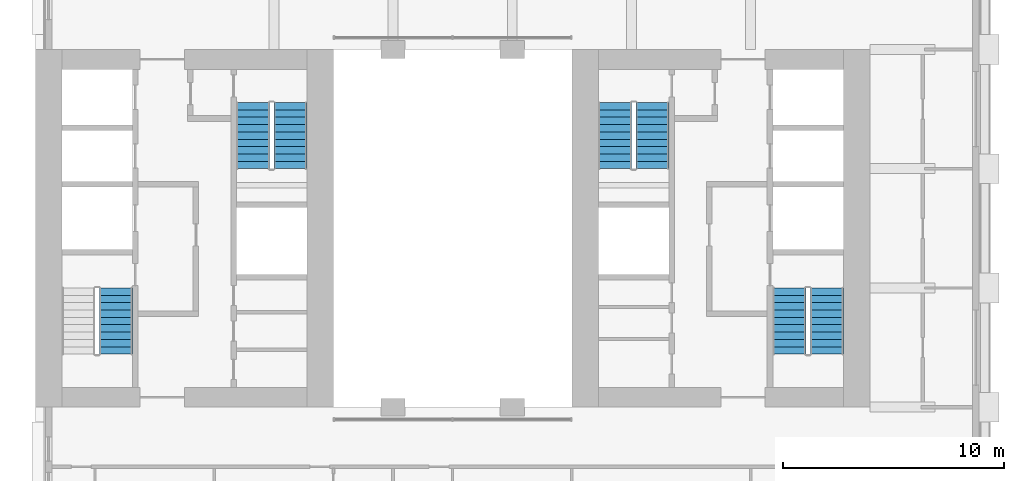
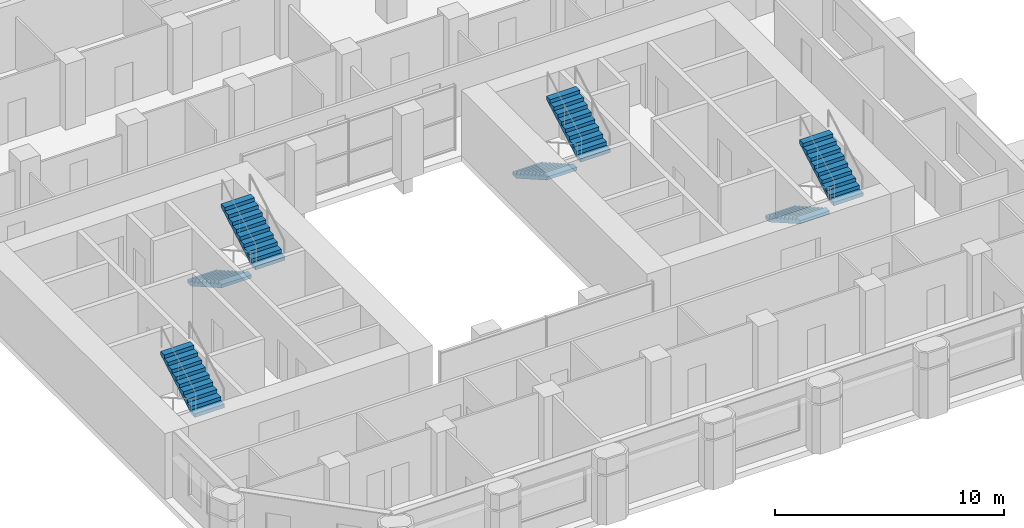
# One storey, part 8 of 11: 7 stair flights, 4 elements without a shape of their own.
"""IFC4 building model written with IfcOpenShell, lengths in metres."""

import ifcopenshell
import ifcopenshell.guid

model = None  # the IFC model being written
_history = None  # IfcOwnerHistory: only IFC2X3 demands one
_inside = {}  # id of a spatial element -> (the spatial element, [elements in it])
_under = {}  # id of a project, library or spatial element -> (it, [spatial elements below it])
_declared = {}  # id of a project -> (the project, [libraries it declares])
_typed = {}  # id of a type object -> (the type object, [elements of that type])
_made_of = {}  # id of a material, layer set ... -> (it, [elements and type objects made of it])


def new_model(schema):
    """Start an empty IFC model of exactly this schema.

    Asked for "IFC4X3", IfcOpenShell would pick the latest addendum, in which some entities
    have other attributes; the version numbers below select the first issue.
    IFC2X3 requires an IfcOwnerHistory on every rooted entity: one is made here for all.
    """
    global model, _history
    if schema == "IFC4X3":
        model = ifcopenshell.file(schema_version=(4, 3, 0, 0))
    else:
        model = ifcopenshell.file(schema=schema)
    _inside.clear()
    _under.clear()
    _declared.clear()
    _typed.clear()
    _made_of.clear()
    _history = None
    if model.schema == "IFC2X3":
        org = make("IfcOrganization", Name="unknown")
        user = make(
            "IfcPersonAndOrganization",
            ThePerson=make("IfcPerson", FamilyName="unknown"),
            TheOrganization=org,
        )
        app = make(
            "IfcApplication",
            ApplicationDeveloper=org,
            Version="unknown",
            ApplicationFullName="unknown",
            ApplicationIdentifier="unknown",
        )
        _history = make(
            "IfcOwnerHistory",
            OwningUser=user,
            OwningApplication=app,
            ChangeAction="ADDED",
            CreationDate=0,
        )
    return model


def make(cls, **values):
    """One entity of the class cls with the attributes given. An attribute that is None is left unset."""
    return model.create_entity(
        cls, **{name: value for name, value in values.items() if value is not None}
    )


def rooted(cls, **values):
    """An entity with a GlobalId (a new one), such as an element, a storey or a relation."""
    return make(cls, GlobalId=ifcopenshell.guid.new(), OwnerHistory=_history, **values)


def si_unit(unit_type, name, prefix=None):
    """IfcSIUnit, for example si_unit("LENGTHUNIT", "METRE", prefix="MILLI")."""
    return make("IfcSIUnit", UnitType=unit_type, Prefix=prefix, Name=name)


def assignment(units):
    """IfcUnitAssignment: the units of a project."""
    return None if units is None else make("IfcUnitAssignment", Units=units)


def point(xyz):
    """IfcCartesianPoint."""
    return None if xyz is None else make("IfcCartesianPoint", Coordinates=xyz)


def direction(xyz):
    """IfcDirection."""
    return None if xyz is None else make("IfcDirection", DirectionRatios=xyz)


def frame(location, z_axis=None, x_axis=None):
    """IfcAxis2Placement3D, a coordinate frame: its origin and axes. An axis left out is left unset."""
    return make(
        "IfcAxis2Placement3D",
        Location=point(location),
        Axis=direction(z_axis),
        RefDirection=direction(x_axis),
    )


def origin():
    """The frame at (0, 0, 0) with its axes left unset."""
    return frame((0.0, 0.0, 0.0))


def place(relative_to, where):
    """IfcLocalPlacement: puts the frame where relative to a parent placement (None: the world)."""
    return make(
        "IfcLocalPlacement", PlacementRelTo=relative_to, RelativePlacement=where
    )


def context(
    kind, dimensions, precision=None, world=None, true_north=None, identifier=None
):
    """IfcGeometricRepresentationContext, for example the 3D "Model" context."""
    return make(
        "IfcGeometricRepresentationContext",
        ContextIdentifier=identifier,
        ContextType=kind,
        CoordinateSpaceDimension=dimensions,
        Precision=precision,
        WorldCoordinateSystem=world,
        TrueNorth=true_north,
    )


def subcontext(parent, identifier, kind, view, scale=None):
    """IfcGeometricRepresentationSubContext, for example "Body" below "Model"."""
    return make(
        "IfcGeometricRepresentationSubContext",
        ContextIdentifier=identifier,
        ContextType=kind,
        ParentContext=parent,
        TargetScale=scale,
        TargetView=view,
    )


def project(units=None, contexts=None):
    """IfcProject with its units and contexts."""
    return rooted(
        "IfcProject",
        Name="project",
        RepresentationContexts=contexts,
        UnitsInContext=assignment(units),
    )


def spatial(cls, under=None, at=None, **own):
    """A site, building, storey or space (cls), placed at a placement, below another one or the project."""
    s = rooted(cls, ObjectPlacement=at, **own)
    if under is not None:
        _under.setdefault(under.id(), (under, []))[1].append(s)
    return s


def polyline(points):
    """IfcPolyline through the points."""
    return make("IfcPolyline", Points=[point(p) for p in points])


def outline(outer, holes=None, kind="AREA"):
    """IfcArbitraryClosedProfileDef: a profile drawn as a closed curve; with holes, ...WithVoids."""
    if holes is None:
        return make("IfcArbitraryClosedProfileDef", ProfileType=kind, OuterCurve=outer)
    return make(
        "IfcArbitraryProfileDefWithVoids",
        ProfileType=kind,
        OuterCurve=outer,
        InnerCurves=holes,
    )


def extrude(swept, where, along, depth):
    """IfcExtrudedAreaSolid: the profile swept, set in the frame where, extruded along a direction by depth."""
    return make(
        "IfcExtrudedAreaSolid",
        SweptArea=swept,
        Position=where,
        ExtrudedDirection=direction(along),
        Depth=depth,
    )


def shape(context_of_items, identifier, shape_type, items):
    """IfcShapeRepresentation: the items that make up one representation, for example the "Body"."""
    return make(
        "IfcShapeRepresentation",
        ContextOfItems=context_of_items,
        RepresentationIdentifier=identifier,
        RepresentationType=shape_type,
        Items=items,
    )


def material(Name=None, Category=None):
    """IfcMaterial."""
    return make("IfcMaterial", Name=Name, Category=Category)


def made_of(thing, what):
    """Note that an element or type object is made of a material, layer set ...; save() writes the relation."""
    if what is not None:
        _made_of.setdefault(what.id(), (what, []))[1].append(thing)
    return thing


def type_object(cls, material=None, **own):
    """A type object (cls), such as IfcWallType, which elements share."""
    return made_of(rooted(cls, **own), material)


def element(
    cls,
    number,
    at=None,
    inside=None,
    cuts=None,
    type_object=None,
    material=None,
    context=None,
    identifier="Body",
    shape_type=None,
    held_by="IfcProductDefinitionShape",
    body=None,
    shapes=None,
    **own,
):
    """One element of the class cls, such as IfcWall. Its Tag is "e" and its number.

    at: its placement. inside: the storey or other place that contains it. cuts: it is an
    opening in that element (IfcRelVoidsElement). A single representation is given by context,
    identifier, shape_type and body (its items); several are given by shapes. held_by: the class
    of the entity that holds the representations. save() writes the other relations.
    """
    e = rooted(cls, Tag="e%d" % number, ObjectPlacement=at, **own)
    if body is not None:
        shapes = [shape(context, identifier, shape_type, body)]
    if shapes is not None:
        e.Representation = make(held_by, Representations=shapes)
    if inside is not None:
        _inside.setdefault(inside.id(), (inside, []))[1].append(e)
    if cuts is not None:
        rooted(
            "IfcRelVoidsElement", RelatingBuildingElement=cuts, RelatedOpeningElement=e
        )
    if type_object is not None:
        _typed.setdefault(type_object.id(), (type_object, []))[1].append(e)
    return made_of(e, material)


def aggregate(whole, parts):
    """IfcRelAggregates: a whole, such as a stair, and the parts it consists of."""
    return rooted("IfcRelAggregates", RelatingObject=whole, RelatedObjects=parts)


def save(model, path):
    """Write the relations noted so far, then the file.

    IfcRelAggregates (storeys below a building ...), IfcRelContainedInSpatialStructure (elements
    in a storey), IfcRelDefinesByType, IfcRelAssociatesMaterial and IfcRelDeclares: one each for
    every whole, place, type object, material and project.
    """
    for whole, parts in _under.values():
        aggregate(whole, parts)
    for where, things in _inside.values():
        rooted(
            "IfcRelContainedInSpatialStructure",
            RelatedElements=things,
            RelatingStructure=where,
        )
    for kind, things in _typed.values():
        rooted("IfcRelDefinesByType", RelatedObjects=things, RelatingType=kind)
    for what, things in _made_of.values():
        rooted("IfcRelAssociatesMaterial", RelatedObjects=things, RelatingMaterial=what)
    for by, libraries in _declared.values():
        rooted("IfcRelDeclares", RelatingContext=by, RelatedDefinitions=libraries)
    model.write(path)


model = new_model("IFC4")

# Units and contexts
model_context = context("Model", 3, precision=1e-05, world=origin(), true_north=direction((0.0, 1.0)))
body_context = subcontext(model_context, "Body", "Model", "MODEL_VIEW")
ifc_project = project(units=[si_unit("LENGTHUNIT", "METRE"), si_unit("AREAUNIT", "SQUARE_METRE"), si_unit("VOLUMEUNIT", "CUBIC_METRE"), si_unit("PLANEANGLEUNIT", "RADIAN"), si_unit("MASSUNIT", "GRAM", prefix="KILO")], contexts=[model_context])

# Site, building, storey
site_placement = place(None, origin())
site = spatial("IfcSite", under=ifc_project, at=site_placement, CompositionType="ELEMENT")
building_placement = place(site_placement, origin())
building = spatial("IfcBuilding", under=site, at=building_placement, Name="Tabaq Tower and Sports Hall", CompositionType="ELEMENT")
storey_placement = place(building_placement, frame((0.0, 0.0, 91.60009765625)))
storey = spatial("IfcBuildingStorey", under=building, at=storey_placement, Name="L21", CompositionType="ELEMENT", Elevation=91.60009765625)

# Stair, stair flight
ifc_material_1 = material(Name="Concrete C40/50", Category="concrete")
stair_type = type_object("IfcStairType", Name="Exit stair", PredefinedType="HALF_TURN_STAIR", material=ifc_material_1)
stair_1_placement = place(storey_placement, origin())
stair_1 = element("IfcStair", 1, at=stair_1_placement, inside=storey, type_object=stair_type, Name="L21 Exit stair ST1", PredefinedType="HALF_TURN_STAIR")
ifc_material_2 = material(Name="Concrete C40/50", Category="concrete")
stair_flight_type = type_object("IfcStairFlightType", Name="Exit stair flight", PredefinedType="STRAIGHT", material=ifc_material_2)
stair_flight_1_placement = place(storey_placement, frame((9.050048828125, 18.60009765625, 1.89990234375), z_axis=(0.0, 0.0, 1.0), x_axis=(0.0, 1.0, 0.0)))
stair_flight_1 = element("IfcStairFlight", 2, at=stair_flight_1_placement, type_object=stair_flight_type, Name="ST1 flight 2", NumberOfRisers=10, NumberOfTreads=9, PredefinedType="STRAIGHT", RiserHeight=0.19, TreadLength=0.333333333, context=body_context, shape_type="SweptSolid", body=[
    extrude(outline(polyline([(0.0, 0.0), (0.0, 0.18994140625), (0.333251953125, 0.18994140625), (0.333251953125, 0.3798828125), (0.666748046875, 0.3798828125), (0.666748046875, 0.570068359375), (1.0, 0.570068359375), (1.0, 0.760009765625), (1.333251953125, 0.760009765625), (1.333251953125, 0.949951171875), (1.666748046875, 0.949951171875), (1.666748046875, 1.139892578125), (2.0, 1.139892578125), (2.0, 1.330078125), (2.333251953125, 1.330078125), (2.333251953125, 1.52001953125), (2.666748046875, 1.52001953125), (2.666748046875, 1.7099609375), (3.0, 1.7099609375), (3.0, 1.89990234375), (3.0, 1.537353515625), (0.302734375, 0.0), (0.0, 0.0)])), frame((0.0, 0.75, 0.0), z_axis=(0.0, -1.0, 0.0), x_axis=(1.0, 0.0, 0.0)), (0.0, 0.0, 1.0), 1.5),
])
aggregate(stair_1, [stair_flight_1])

# Stair, stair flights
stair_2_placement = place(storey_placement, origin())
stair_2 = element("IfcStair", 3, at=stair_2_placement, inside=storey, type_object=stair_type, Name="L21 Exit stair ST2", PredefinedType="HALF_TURN_STAIR")
stair_flight_2_placement = place(storey_placement, frame((15.25, 30.0, 0.0), z_axis=(0.0, 0.0, 1.0), x_axis=(0.0, -1.0, 0.0)))
stair_flight_2 = element("IfcStairFlight", 4, at=stair_flight_2_placement, type_object=stair_flight_type, Name="ST2 flight 1", NumberOfRisers=10, NumberOfTreads=9, PredefinedType="STRAIGHT", RiserHeight=0.19, TreadLength=0.333333333, context=body_context, shape_type="SweptSolid", body=[
    extrude(outline(polyline([(0.0, 0.0), (0.0, 0.18994140625), (0.333251953125, 0.18994140625), (0.333251953125, 0.3798828125), (0.666748046875, 0.3798828125), (0.666748046875, 0.570068359375), (1.0, 0.570068359375), (1.0, 0.760009765625), (1.333251953125, 0.760009765625), (1.333251953125, 0.949951171875), (1.666748046875, 0.949951171875), (1.666748046875, 1.139892578125), (2.0, 1.139892578125), (2.0, 1.330078125), (2.333251953125, 1.330078125), (2.333251953125, 1.52001953125), (2.666748046875, 1.52001953125), (2.666748046875, 1.7099609375), (3.0, 1.7099609375), (3.0, 1.89990234375), (3.0, 1.537353515625), (0.302734375, 0.0), (0.0, 0.0)])), frame((0.0, 0.75, 0.0), z_axis=(0.0, -1.0, 0.0), x_axis=(1.0, 0.0, 0.0)), (0.0, 0.0, 1.0), 1.5),
])
stair_flight_3_placement = place(storey_placement, frame((16.949951171875, 27.0, 1.89990234375), z_axis=(0.0, 0.0, 1.0), x_axis=(0.0, 1.0, 0.0)))
stair_flight_3 = element("IfcStairFlight", 5, at=stair_flight_3_placement, type_object=stair_flight_type, Name="ST2 flight 2", NumberOfRisers=10, NumberOfTreads=9, PredefinedType="STRAIGHT", RiserHeight=0.19, TreadLength=0.333333333, context=body_context, shape_type="SweptSolid", body=[
    extrude(outline(polyline([(0.0, 0.0), (0.0, 0.18994140625), (0.333251953125, 0.18994140625), (0.333251953125, 0.3798828125), (0.666748046875, 0.3798828125), (0.666748046875, 0.570068359375), (1.0, 0.570068359375), (1.0, 0.760009765625), (1.333251953125, 0.760009765625), (1.333251953125, 0.949951171875), (1.666748046875, 0.949951171875), (1.666748046875, 1.139892578125), (2.0, 1.139892578125), (2.0, 1.330078125), (2.333251953125, 1.330078125), (2.333251953125, 1.52001953125), (2.666748046875, 1.52001953125), (2.666748046875, 1.7099609375), (3.0, 1.7099609375), (3.0, 1.89990234375), (3.0, 1.537353515625), (0.302734375, 0.0), (0.0, 0.0)])), frame((0.0, 0.75, 0.0), z_axis=(0.0, -1.0, 0.0), x_axis=(1.0, 0.0, 0.0)), (0.0, 0.0, 1.0), 1.5),
])
aggregate(stair_2, [stair_flight_2, stair_flight_3])

stair_3_placement = place(storey_placement, origin())
stair_3 = element("IfcStair", 6, at=stair_3_placement, inside=storey, type_object=stair_type, Name="L21 Exit stair ST3", PredefinedType="HALF_TURN_STAIR")
stair_flight_4_placement = place(storey_placement, frame((39.550048828125, 21.60009765625, 0.0), z_axis=(0.0, 0.0, 1.0), x_axis=(0.0, -1.0, 0.0)))
stair_flight_4 = element("IfcStairFlight", 7, at=stair_flight_4_placement, type_object=stair_flight_type, Name="ST3 flight 1", NumberOfRisers=10, NumberOfTreads=9, PredefinedType="STRAIGHT", RiserHeight=0.19, TreadLength=0.333333333, context=body_context, shape_type="SweptSolid", body=[
    extrude(outline(polyline([(0.0, 0.0), (0.0, 0.18994140625), (0.333251953125, 0.18994140625), (0.333251953125, 0.3798828125), (0.666748046875, 0.3798828125), (0.666748046875, 0.570068359375), (1.0, 0.570068359375), (1.0, 0.760009765625), (1.333251953125, 0.760009765625), (1.333251953125, 0.949951171875), (1.666748046875, 0.949951171875), (1.666748046875, 1.139892578125), (2.0, 1.139892578125), (2.0, 1.330078125), (2.333251953125, 1.330078125), (2.333251953125, 1.52001953125), (2.666748046875, 1.52001953125), (2.666748046875, 1.7099609375), (3.0, 1.7099609375), (3.0, 1.89990234375), (3.0, 1.537353515625), (0.302734375, 0.0), (0.0, 0.0)])), frame((0.0, 0.75, 0.0), z_axis=(0.0, -1.0, 0.0), x_axis=(1.0, 0.0, 0.0)), (0.0, 0.0, 1.0), 1.5),
])
stair_flight_5_placement = place(storey_placement, frame((41.25, 18.60009765625, 1.89990234375), z_axis=(0.0, 0.0, 1.0), x_axis=(0.0, 1.0, 0.0)))
stair_flight_5 = element("IfcStairFlight", 8, at=stair_flight_5_placement, type_object=stair_flight_type, Name="ST3 flight 2", NumberOfRisers=10, NumberOfTreads=9, PredefinedType="STRAIGHT", RiserHeight=0.19, TreadLength=0.333333333, context=body_context, shape_type="SweptSolid", body=[
    extrude(outline(polyline([(0.0, 0.0), (0.0, 0.18994140625), (0.333251953125, 0.18994140625), (0.333251953125, 0.3798828125), (0.666748046875, 0.3798828125), (0.666748046875, 0.570068359375), (1.0, 0.570068359375), (1.0, 0.760009765625), (1.333251953125, 0.760009765625), (1.333251953125, 0.949951171875), (1.666748046875, 0.949951171875), (1.666748046875, 1.139892578125), (2.0, 1.139892578125), (2.0, 1.330078125), (2.333251953125, 1.330078125), (2.333251953125, 1.52001953125), (2.666748046875, 1.52001953125), (2.666748046875, 1.7099609375), (3.0, 1.7099609375), (3.0, 1.89990234375), (3.0, 1.537353515625), (0.302734375, 0.0), (0.0, 0.0)])), frame((0.0, 0.75, 0.0), z_axis=(0.0, -1.0, 0.0), x_axis=(1.0, 0.0, 0.0)), (0.0, 0.0, 1.0), 1.5),
])
aggregate(stair_3, [stair_flight_4, stair_flight_5])

stair_4_placement = place(storey_placement, origin())
stair_4 = element("IfcStair", 9, at=stair_4_placement, inside=storey, type_object=stair_type, Name="L21 Exit stair ST4", PredefinedType="HALF_TURN_STAIR")
stair_flight_6_placement = place(storey_placement, frame((31.64990234375, 30.0, 0.0), z_axis=(0.0, 0.0, 1.0), x_axis=(0.0, -1.0, 0.0)))
stair_flight_6 = element("IfcStairFlight", 10, at=stair_flight_6_placement, type_object=stair_flight_type, Name="ST4 flight 1", NumberOfRisers=10, NumberOfTreads=9, PredefinedType="STRAIGHT", RiserHeight=0.19, TreadLength=0.333333333, context=body_context, shape_type="SweptSolid", body=[
    extrude(outline(polyline([(0.0, 0.0), (0.0, 0.18994140625), (0.333251953125, 0.18994140625), (0.333251953125, 0.3798828125), (0.666748046875, 0.3798828125), (0.666748046875, 0.570068359375), (1.0, 0.570068359375), (1.0, 0.760009765625), (1.333251953125, 0.760009765625), (1.333251953125, 0.949951171875), (1.666748046875, 0.949951171875), (1.666748046875, 1.139892578125), (2.0, 1.139892578125), (2.0, 1.330078125), (2.333251953125, 1.330078125), (2.333251953125, 1.52001953125), (2.666748046875, 1.52001953125), (2.666748046875, 1.7099609375), (3.0, 1.7099609375), (3.0, 1.89990234375), (3.0, 1.537353515625), (0.302734375, 0.0), (0.0, 0.0)])), frame((0.0, 0.75, 0.0), z_axis=(0.0, -1.0, 0.0), x_axis=(1.0, 0.0, 0.0)), (0.0, 0.0, 1.0), 1.5),
])
stair_flight_7_placement = place(storey_placement, frame((33.35009765625, 27.0, 1.89990234375), z_axis=(0.0, 0.0, 1.0), x_axis=(0.0, 1.0, 0.0)))
stair_flight_7 = element("IfcStairFlight", 11, at=stair_flight_7_placement, type_object=stair_flight_type, Name="ST4 flight 2", NumberOfRisers=10, NumberOfTreads=9, PredefinedType="STRAIGHT", RiserHeight=0.19, TreadLength=0.333333333, context=body_context, shape_type="SweptSolid", body=[
    extrude(outline(polyline([(0.0, 0.0), (0.0, 0.18994140625), (0.333251953125, 0.18994140625), (0.333251953125, 0.3798828125), (0.666748046875, 0.3798828125), (0.666748046875, 0.570068359375), (1.0, 0.570068359375), (1.0, 0.760009765625), (1.333251953125, 0.760009765625), (1.333251953125, 0.949951171875), (1.666748046875, 0.949951171875), (1.666748046875, 1.139892578125), (2.0, 1.139892578125), (2.0, 1.330078125), (2.333251953125, 1.330078125), (2.333251953125, 1.52001953125), (2.666748046875, 1.52001953125), (2.666748046875, 1.7099609375), (3.0, 1.7099609375), (3.0, 1.89990234375), (3.0, 1.537353515625), (0.302734375, 0.0), (0.0, 0.0)])), frame((0.0, 0.75, 0.0), z_axis=(0.0, -1.0, 0.0), x_axis=(1.0, 0.0, 0.0)), (0.0, 0.0, 1.0), 1.5),
])
aggregate(stair_4, [stair_flight_6, stair_flight_7])

save(model, "model.ifc")
